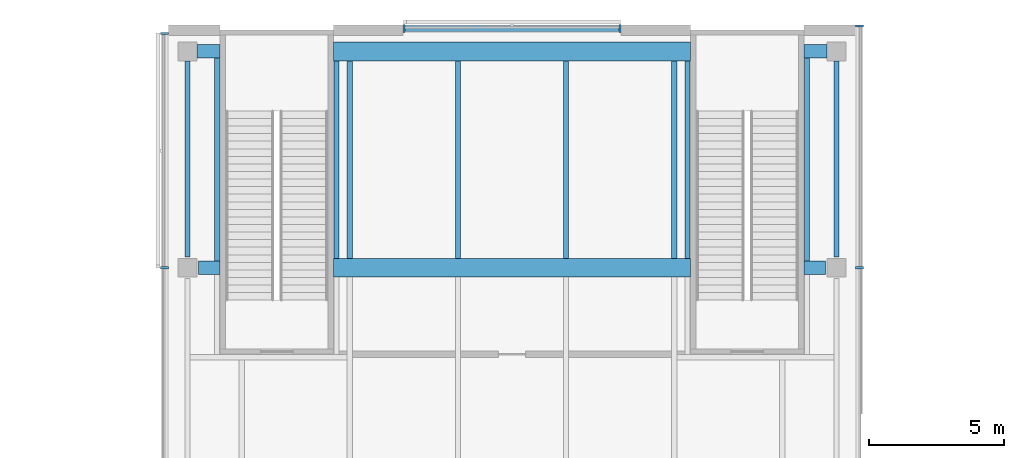
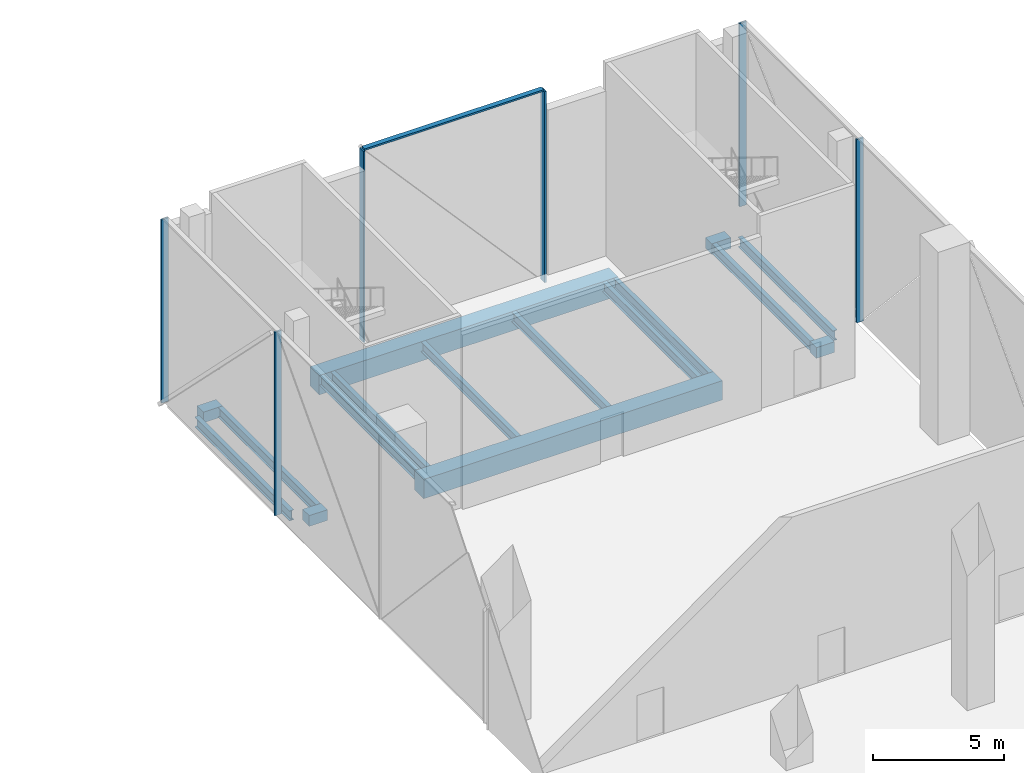
# One storey, part 11 of 26: 16 beams, 7 members, 3 elements without a shape of their own.
"""IFC4 building model written with IfcOpenShell, lengths in metres."""

from ifc_helpers import new_model, si_unit, direction, frame, origin, origin_2d, place, context, subcontext, project, spatial, rectangle, i_section, extrude, material, material_profile, profile_set, type_object, element, aggregate, save


model = new_model("IFC4")

# Units and contexts
model_context = context("Model", 3, precision=1e-05, world=origin(), true_north=direction((0.0, 1.0)))
body_context = subcontext(model_context, "Body", "Model", "MODEL_VIEW")
ifc_project = project(units=[si_unit("LENGTHUNIT", "METRE"), si_unit("AREAUNIT", "SQUARE_METRE"), si_unit("VOLUMEUNIT", "CUBIC_METRE"), si_unit("PLANEANGLEUNIT", "RADIAN"), si_unit("MASSUNIT", "GRAM", prefix="KILO")], contexts=[model_context])

# Site, building, storey
site_placement = place(None, origin())
site = spatial("IfcSite", under=ifc_project, at=site_placement, CompositionType="ELEMENT")
building_placement = place(site_placement, origin())
building = spatial("IfcBuilding", under=site, at=building_placement, Name="Crosswind Convention Tower", CompositionType="ELEMENT")
storey_placement = place(building_placement, frame((0.0, 0.0, 25.0)))
storey = spatial("IfcBuildingStorey", under=building, at=storey_placement, Name="L03", CompositionType="ELEMENT", Elevation=25.0)

# Beams
ifc_material_1 = material(Name="Steel S355", Category="steel")
ifc_material_profile_1 = material_profile(ifc_material_1, i_section(OverallWidth=0.19287109375, OverallDepth=0.467529296875, WebThickness=0.011474609375, FlangeThickness=0.01953125, FilletRadius=0.01025390625, at=origin_2d()), Name="UB 457x191x98")
ifc_profile_set_1 = profile_set([ifc_material_profile_1], Name="Steel S355")
beam_type_1 = type_object("IfcBeamType", Name="Edge beam UB 457x191x98", PredefinedType="SPANDREL", material=ifc_profile_set_1)
for number, where, z_axis, x_axis, name in (
    (1, (113.0, 136.39990234375, -0.6337890625), (0.0, 1.0, 0.0), (-1.0, 0.0, 0.0), "B20 L03 edge beam 12"),
    (2, (137.0, 136.39990234375, -0.6337890625), (0.0, 1.0, 0.0), (-1.0, 0.0, 0.0), "B20 L03 edge beam 20"),
):
    element("IfcBeam", number, at=place(storey_placement, frame(where, z_axis=z_axis, x_axis=x_axis)), inside=storey, type_object=beam_type_1, Name=name, PredefinedType="SPANDREL", context=body_context, shape_type="SweptSolid", body=[
        extrude(i_section(OverallWidth=0.19287109375, OverallDepth=0.467529296875, WebThickness=0.011474609375, FlangeThickness=0.01953125, FilletRadius=0.01025390625, at=origin_2d()), origin(), (0.0, 0.0, 1.0), 7.25),
    ])

# Curtain wall, members
ifc_material_2 = material(Name="Aluminium unitised curtain wall", Category="aluminium")
curtain_wall_type = type_object("IfcCurtainWallType", Name="PODIUM UNITISED WALL 300", PredefinedType="USERDEFINED", material=ifc_material_2)
curtain_wall_1_placement = place(storey_placement, origin())
curtain_wall_1 = element("IfcCurtainWall", 3, at=curtain_wall_1_placement, inside=storey, type_object=curtain_wall_type, Name="CW1 L03 N-E 1", ObjectType="UNITISED", PredefinedType="USERDEFINED")
ifc_material_3 = material(Name="Aluminium mullion", Category="aluminium")
ifc_material_profile_2 = material_profile(ifc_material_3, rectangle(XDim=0.300048828125, YDim=0.080078125, at=origin_2d()), Name="AL 300X80")
ifc_profile_set_2 = profile_set([ifc_material_profile_2], Name="Aluminium mullion")
member_type_1 = type_object("IfcMemberType", Name="MULLION 80X300", PredefinedType="MULLION", material=ifc_profile_set_2)
member_1_placement = place(storey_placement, frame((137.85009765625, 136.0, -0.044921875), z_axis=(0.0, 0.0, 1.0), x_axis=(1.0, 0.0, 0.0)))
member_1 = element("IfcMember", 4, at=member_1_placement, type_object=member_type_1, Name="CW1 mullion 3", PredefinedType="MULLION", context=body_context, shape_type="SweptSolid", body=[
    extrude(rectangle(XDim=0.300048828125, YDim=0.080078125, at=origin_2d()), origin(), (0.0, 0.0, 1.0), 8.56494140625),
])
member_2_placement = place(storey_placement, frame((137.85009765625, 144.945068359375, -0.044921875), z_axis=(0.0, 0.0, 1.0), x_axis=(1.0, 0.0, 0.0)))
member_2 = element("IfcMember", 5, at=member_2_placement, type_object=member_type_1, Name="CW1 mullion 4", PredefinedType="MULLION", context=body_context, shape_type="SweptSolid", body=[
    extrude(rectangle(XDim=0.300048828125, YDim=0.080078125, at=origin_2d()), origin(), (0.0, 0.0, 1.0), 8.56494140625),
])
aggregate(curtain_wall_1, [member_1, member_2])

curtain_wall_2_placement = place(storey_placement, origin())
curtain_wall_2 = element("IfcCurtainWall", 6, at=curtain_wall_2_placement, inside=storey, type_object=curtain_wall_type, Name="CW1 L03 N-TIP 1", ObjectType="UNITISED", PredefinedType="USERDEFINED")
member_3_placement = place(storey_placement, frame((129.0, 144.85009765625, -0.39990234375), z_axis=(0.0, 0.0, 1.0), x_axis=(0.0, 1.0, 0.0)))
member_3 = element("IfcMember", 7, at=member_3_placement, type_object=member_type_1, Name="CW1 mullion 1", PredefinedType="MULLION", context=body_context, shape_type="SweptSolid", body=[
    extrude(rectangle(XDim=0.300048828125, YDim=0.080078125, at=origin_2d()), origin(), (0.0, 0.0, 1.0), 8.919921875),
])
member_4_placement = place(storey_placement, frame((121.0, 144.85009765625, -0.39990234375), z_axis=(0.0, 0.0, 1.0), x_axis=(0.0, 1.0, 0.0)))
member_4 = element("IfcMember", 8, at=member_4_placement, type_object=member_type_1, Name="CW1 mullion 2", PredefinedType="MULLION", context=body_context, shape_type="SweptSolid", body=[
    extrude(rectangle(XDim=0.300048828125, YDim=0.080078125, at=origin_2d()), origin(), (0.0, 0.0, 1.0), 8.919921875),
])

curtain_wall_3_placement = place(storey_placement, origin())
curtain_wall_3 = element("IfcCurtainWall", 9, at=curtain_wall_3_placement, inside=storey, type_object=curtain_wall_type, Name="CW1 L03 N-W 1", ObjectType="UNITISED", PredefinedType="USERDEFINED")
member_5_placement = place(storey_placement, frame((112.14990234375, 144.659912109375, -0.044921875), z_axis=(0.0, 0.0, 1.0), x_axis=(-1.0, 0.0, 0.0)))
member_5 = element("IfcMember", 10, at=member_5_placement, type_object=member_type_1, Name="CW1 mullion 1", PredefinedType="MULLION", context=body_context, shape_type="SweptSolid", body=[
    extrude(rectangle(XDim=0.300048828125, YDim=0.080078125, at=origin_2d()), origin(), (0.0, 0.0, 1.0), 8.56494140625),
])
member_6_placement = place(storey_placement, frame((112.14990234375, 136.0, -0.044921875), z_axis=(0.0, 0.0, 1.0), x_axis=(-1.0, 0.0, 0.0)))
member_6 = element("IfcMember", 11, at=member_6_placement, type_object=member_type_1, Name="CW1 mullion 2", PredefinedType="MULLION", context=body_context, shape_type="SweptSolid", body=[
    extrude(rectangle(XDim=0.300048828125, YDim=0.080078125, at=origin_2d()), origin(), (0.0, 0.0, 1.0), 8.56494140625),
])
aggregate(curtain_wall_3, [member_5, member_6])

# Beams
ifc_material_4 = material(Name="Concrete C60/75", Category="concrete")
ifc_material_profile_3 = material_profile(ifc_material_4, rectangle(XDim=0.699951171875, YDim=0.89990234375, at=origin_2d()), Name="RC 700X900")
ifc_profile_set_3 = profile_set([ifc_material_profile_3], Name="Concrete C60/75")
beam_type_2 = type_object("IfcBeamType", Name="Prestressed concrete girder between stair walls RC 700X900", PredefinedType="BEAM", material=ifc_profile_set_3)
for number, where, z_axis, x_axis, name in (
    (12, (118.39990234375, 136.0, -0.85009765625), (1.0, 0.0, 0.0), (0.0, 1.0, 0.0), "B41 L03 prestressed concrete girder between stair walls 5"),
    (13, (118.39990234375, 144.0, -0.85009765625), (1.0, 0.0, 0.0), (0.0, 1.0, 0.0), "B41 L03 prestressed concrete girder between stair walls 6"),
):
    element("IfcBeam", number, at=place(storey_placement, frame(where, z_axis=z_axis, x_axis=x_axis)), inside=storey, type_object=beam_type_2, Name=name, PredefinedType="BEAM", context=body_context, shape_type="SweptSolid", body=[
        extrude(rectangle(XDim=0.699951171875, YDim=0.89990234375, at=origin_2d()), origin(), (0.0, 0.0, 1.0), 13.2001953125),
    ])
ifc_material_profile_4 = material_profile(ifc_material_1, i_section(OverallWidth=0.19140625, OverallDepth=0.460205078125, WebThickness=0.010009765625, FlangeThickness=0.01611328125, FilletRadius=0.01025390625, at=origin_2d()), Name="UB 457x191x82")
ifc_profile_set_4 = profile_set([ifc_material_profile_4], Name="Steel S355")
beam_type_3 = type_object("IfcBeamType", Name="Secondary beam UB 457x191x82", PredefinedType="JOIST", material=ifc_profile_set_4)
for number, where, z_axis, x_axis, name in (
    (14, (119.0, 136.35009765625, -0.630126953125), (0.0, 1.0, 0.0), (-1.0, 0.0, 0.0), "B13 L03 secondary beam 27"),
    (15, (123.0, 136.35009765625, -0.630126953125), (0.0, 1.0, 0.0), (-1.0, 0.0, 0.0), "B13 L03 secondary beam 38"),
    (16, (127.0, 136.35009765625, -0.630126953125), (0.0, 1.0, 0.0), (-1.0, 0.0, 0.0), "B13 L03 secondary beam 46"),
    (17, (131.0, 136.35009765625, -0.630126953125), (0.0, 1.0, 0.0), (-1.0, 0.0, 0.0), "B13 L03 secondary beam 57"),
):
    element("IfcBeam", number, at=place(storey_placement, frame(where, z_axis=z_axis, x_axis=x_axis)), inside=storey, type_object=beam_type_3, Name=name, PredefinedType="JOIST", context=body_context, shape_type="SweptSolid", body=[
        extrude(i_section(OverallWidth=0.19140625, OverallDepth=0.460205078125, WebThickness=0.010009765625, FlangeThickness=0.01611328125, FilletRadius=0.01025390625, at=origin_2d()), origin(), (0.0, 0.0, 1.0), 7.2998046875),
    ])
ifc_material_profile_5 = material_profile(ifc_material_4, rectangle(XDim=0.5, YDim=0.5, at=origin_2d()), Name="RC 500X500")
ifc_profile_set_5 = profile_set([ifc_material_profile_5], Name="Concrete C60/75")
beam_type_4 = type_object("IfcBeamType", Name="Slab edge tie beam RC 500X500", PredefinedType="BEAM", material=ifc_profile_set_5)
beam_1_placement = place(storey_placement, frame((113.35009765625, 144.0, -0.64990234375), z_axis=(1.0, 0.0, 0.0), x_axis=(0.0, 1.0, 0.0)))
element("IfcBeam", 18, at=beam_1_placement, inside=storey, type_object=beam_type_4, Name="B42 L03 slab edge tie beam 6", PredefinedType="BEAM", context=body_context, shape_type="SweptSolid", body=[
    extrude(rectangle(XDim=0.5, YDim=0.5, at=origin_2d()), origin(), (0.0, 0.0, 1.0), 0.849853515625),
])
for number, where, z_axis, x_axis, name in (
    (19, (113.39990234375, 136.0, -0.64990234375), (1.0, 0.0, 0.0), (0.0, 1.0, 0.0), "B42 L03 slab edge tie beam 8"),
    (20, (135.800048828125, 136.0, -0.64990234375), (1.0, 0.0, 0.0), (0.0, 1.0, 0.0), "B42 L03 slab edge tie beam 11"),
):
    element("IfcBeam", number, at=place(storey_placement, frame(where, z_axis=z_axis, x_axis=x_axis)), inside=storey, type_object=beam_type_4, Name=name, PredefinedType="BEAM", context=body_context, shape_type="SweptSolid", body=[
        extrude(rectangle(XDim=0.5, YDim=0.5, at=origin_2d()), origin(), (0.0, 0.0, 1.0), 0.800048828125),
    ])
beam_2_placement = place(storey_placement, frame((135.800048828125, 144.0, -0.64990234375), z_axis=(1.0, 0.0, 0.0), x_axis=(0.0, 1.0, 0.0)))
element("IfcBeam", 21, at=beam_2_placement, inside=storey, type_object=beam_type_4, Name="B42 L03 slab edge tie beam 12", PredefinedType="BEAM", context=body_context, shape_type="SweptSolid", body=[
    extrude(rectangle(XDim=0.5, YDim=0.5, at=origin_2d()), origin(), (0.0, 0.0, 1.0), 0.849853515625),
])

# Member
ifc_material_5 = material(Name="Aluminium transom", Category="aluminium")
ifc_material_profile_6 = material_profile(ifc_material_5, rectangle(XDim=0.219970703125, YDim=0.080078125, at=origin_2d()), Name="AL 220X80")
ifc_profile_set_6 = profile_set([ifc_material_profile_6], Name="Aluminium transom")
member_type_2 = type_object("IfcMemberType", Name="TRANSOM 80X220", PredefinedType="USERDEFINED", material=ifc_profile_set_6)
member_7_placement = place(storey_placement, frame((128.9599609375, 144.85009765625, 8.56005859375), z_axis=(-1.0, 0.0, 0.0), x_axis=(0.0, -1.0, 0.0)))
member_7 = element("IfcMember", 22, at=member_7_placement, type_object=member_type_2, Name="CW1 transom", ObjectType="TRANSOM", PredefinedType="USERDEFINED", context=body_context, shape_type="SweptSolid", body=[
    extrude(rectangle(XDim=0.219970703125, YDim=0.080078125, at=origin_2d()), origin(), (0.0, 0.0, 1.0), 7.919921875),
])

aggregate(curtain_wall_2, [member_3, member_4, member_7])

# Beams
ifc_material_profile_7 = material_profile(ifc_material_1, i_section(OverallWidth=0.19189453125, OverallDepth=0.463623046875, WebThickness=0.010498046875, FlangeThickness=0.017578125, FilletRadius=0.01025390625, at=origin_2d()), Name="UB 457x191x90")
ifc_profile_set_7 = profile_set([ifc_material_profile_7], Name="Steel S355")
beam_type_5 = type_object("IfcBeamType", Name="Trimmer beam UB 457x191x90", PredefinedType="BEAM", material=ifc_profile_set_7)
beam_3_placement = place(storey_placement, frame((114.090087890625, 136.25, -0.6318359375), z_axis=(0.0, 1.0, 0.0), x_axis=(-1.0, 0.0, 0.0)))
element("IfcBeam", 23, at=beam_3_placement, inside=storey, type_object=beam_type_5, Name="B33 L03 trimmer beam 16", PredefinedType="BEAM", context=body_context, shape_type="SweptSolid", body=[
    extrude(i_section(OverallWidth=0.19189453125, OverallDepth=0.463623046875, WebThickness=0.010498046875, FlangeThickness=0.017578125, FilletRadius=0.01025390625, at=origin_2d()), origin(), (0.0, 0.0, 1.0), 7.5),
])
for number, where, z_axis, x_axis, name in (
    (24, (118.510009765625, 136.35009765625, -0.6318359375), (0.0, 1.0, 0.0), (-1.0, 0.0, 0.0), "B33 L03 trimmer beam 20"),
    (25, (131.489990234375, 136.35009765625, -0.6318359375), (0.0, 1.0, 0.0), (-1.0, 0.0, 0.0), "B33 L03 trimmer beam 26"),
):
    element("IfcBeam", number, at=place(storey_placement, frame(where, z_axis=z_axis, x_axis=x_axis)), inside=storey, type_object=beam_type_5, Name=name, PredefinedType="BEAM", context=body_context, shape_type="SweptSolid", body=[
        extrude(i_section(OverallWidth=0.19189453125, OverallDepth=0.463623046875, WebThickness=0.010498046875, FlangeThickness=0.017578125, FilletRadius=0.01025390625, at=origin_2d()), origin(), (0.0, 0.0, 1.0), 7.2998046875),
    ])
beam_4_placement = place(storey_placement, frame((135.909912109375, 136.25, -0.6318359375), z_axis=(0.0, 1.0, 0.0), x_axis=(-1.0, 0.0, 0.0)))
element("IfcBeam", 26, at=beam_4_placement, inside=storey, type_object=beam_type_5, Name="B33 L03 trimmer beam 30", PredefinedType="BEAM", context=body_context, shape_type="SweptSolid", body=[
    extrude(i_section(OverallWidth=0.19189453125, OverallDepth=0.463623046875, WebThickness=0.010498046875, FlangeThickness=0.017578125, FilletRadius=0.01025390625, at=origin_2d()), origin(), (0.0, 0.0, 1.0), 7.5),
])

save(model, "model.ifc")
